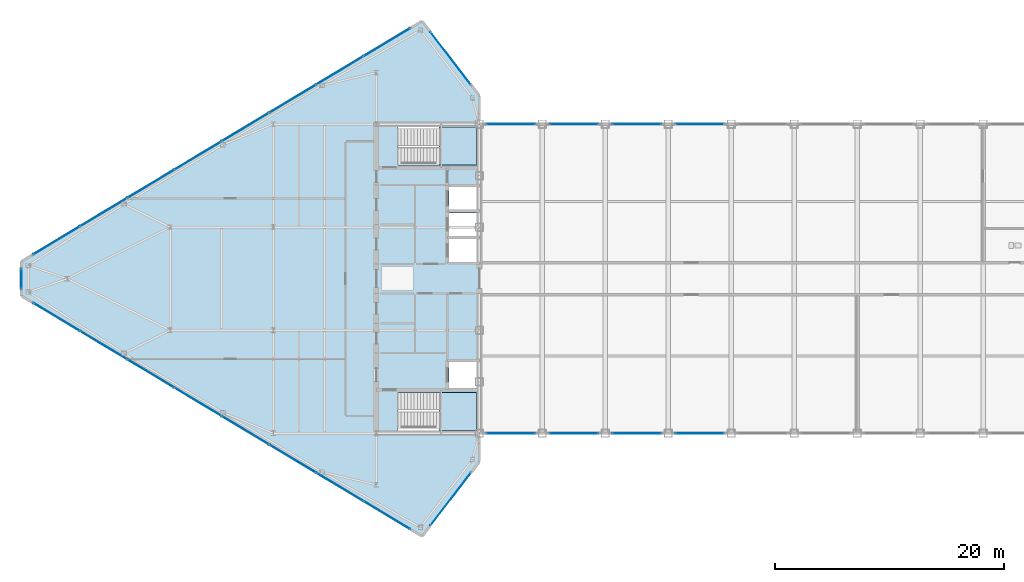
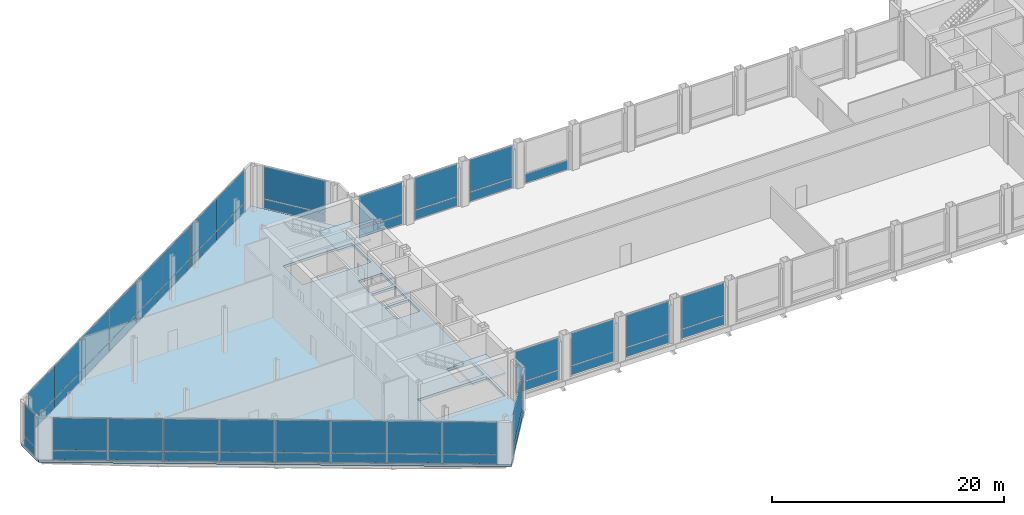
# One storey, part 19 of 29: 53 plates, 3 slabs, 15 elements without a shape of their own.
"""IFC4 building model written with IfcOpenShell, lengths in metres."""

from ifc_helpers import new_model, si_unit, direction, frame, origin, origin_2d, place, context, subcontext, project, spatial, polyline, rectangle, outline, extrude, source, transform, mapped, material, layer, layer_set, type_object, type_shapes, element, aggregate, save


model = new_model("IFC4")

# Units and contexts
model_context = context("Model", 3, precision=1e-05, world=origin(), true_north=direction((0.0, 1.0)))
body_context = subcontext(model_context, "Body", "Model", "MODEL_VIEW")
ifc_project = project(units=[si_unit("LENGTHUNIT", "METRE"), si_unit("AREAUNIT", "SQUARE_METRE"), si_unit("VOLUMEUNIT", "CUBIC_METRE"), si_unit("PLANEANGLEUNIT", "RADIAN"), si_unit("MASSUNIT", "GRAM", prefix="KILO")], contexts=[model_context])

# Site, building, storey
site_placement = place(None, origin())
site = spatial("IfcSite", under=ifc_project, at=site_placement, CompositionType="ELEMENT")
building_placement = place(site_placement, origin())
building = spatial("IfcBuilding", under=site, at=building_placement, Name="Seokmaru Belvedere", CompositionType="ELEMENT")
storey_placement = place(building_placement, frame((0.0, 0.0, 269.39990234375)))
storey = spatial("IfcBuildingStorey", under=building, at=storey_placement, Name="L71", CompositionType="ELEMENT", Elevation=269.39990234375)

# Slab
ifc_material_1 = material(Name="Concrete C50 (50 MPa)", Category="concrete")
ifc_layer_1 = layer(ifc_material_1, 0.260009765625)
ifc_layer_set_1 = layer_set([ifc_layer_1], Name="Concrete C50 (50 MPa)")
slab_type_1 = type_object("IfcSlabType", Name="Refuge and Sky-Gate Heavy Floor Slab 260", PredefinedType="FLOOR", material=ifc_layer_set_1)
slab_1_placement = place(storey_placement, frame((0.0, 0.0, -0.260009765625)))
element("IfcSlab", 1, at=slab_1_placement, inside=storey, type_object=slab_type_1, Name="L71 West Leg Floor Slab", PredefinedType="FLOOR", context=body_context, shape_type="SweptSolid", body=[
    extrude(outline(polyline([(-27.5, -16.0), (-27.5, 16.0), (-32.5, 22.5), (-67.5, 1.5), (-67.5, -1.5), (-32.5, -22.5), (-27.5, -16.0)]), holes=[polyline([(-34.60009765625, -13.25), (-27.75, -13.25), (-27.75, -9.949951171875), (-34.60009765625, -9.949951171875), (-34.60009765625, -13.25)]), polyline([(-34.60009765625, 9.949951171875), (-27.75, 9.949951171875), (-27.75, 13.25), (-34.60009765625, 13.25), (-34.60009765625, 9.949951171875)]), polyline([(-30.14990234375, -9.550048828125), (-27.75, -9.550048828125), (-27.75, -7.25), (-30.14990234375, -7.25), (-30.14990234375, -9.550048828125)]), polyline([(-30.14990234375, 1.449951171875), (-27.75, 1.449951171875), (-27.75, 3.449951171875), (-30.14990234375, 3.449951171875), (-30.14990234375, 1.449951171875)]), polyline([(-30.14990234375, 3.75), (-27.75, 3.75), (-27.75, 5.75), (-30.14990234375, 5.75), (-30.14990234375, 3.75)]), polyline([(-30.14990234375, 6.050048828125), (-27.75, 6.050048828125), (-27.75, 8.050048828125), (-30.14990234375, 8.050048828125), (-30.14990234375, 6.050048828125)])]), origin(), (0.0, 0.0, 1.0), 0.260009765625),
])

# Stair, slab
ifc_material_2 = material(Name="Concrete C40 (40 MPa)", Category="concrete")
stair_type = type_object("IfcStairType", Name="Basement Core Dog-Leg Stair 4800", PredefinedType="TWO_STRAIGHT_RUN_STAIR", material=ifc_material_2)
stair_1_placement = place(storey_placement, origin())
stair_1 = element("IfcStair", 2, at=stair_1_placement, inside=storey, type_object=stair_type, Name="L71 Special Escape Stair ST-W1", PredefinedType="TWO_STRAIGHT_RUN_STAIR")
ifc_layer_2 = layer(ifc_material_2, 0.199951171875)
ifc_layer_set_2 = layer_set([ifc_layer_2], Name="Concrete C40 (40 MPa)")
slab_type_2 = type_object("IfcSlabType", Name="Reinforced Concrete Stair Landing Slab 200", PredefinedType="LANDING", material=ifc_layer_set_2)
slab_2_placement = place(storey_placement, frame((0.0, 0.0, 2.2001953125)))
slab_2 = element("IfcSlab", 3, at=slab_2_placement, type_object=slab_type_2, Name="ST-W1 landing 1", PredefinedType="LANDING", context=body_context, shape_type="SweptSolid", body=[
    extrude(outline(polyline([(-31.0400390625, -13.239990234375), (-27.760009765625, -13.239990234375), (-27.760009765625, -9.949951171875), (-31.0400390625, -9.949951171875), (-31.0400390625, -13.239990234375)])), origin(), (0.0, 0.0, 1.0), 0.199951171875),
])
aggregate(stair_1, [slab_2])

stair_2_placement = place(storey_placement, origin())
stair_2 = element("IfcStair", 4, at=stair_2_placement, inside=storey, type_object=stair_type, Name="L71 Special Escape Stair ST-W2", PredefinedType="TWO_STRAIGHT_RUN_STAIR")
slab_3_placement = place(storey_placement, frame((0.0, 0.0, 2.2001953125)))
slab_3 = element("IfcSlab", 5, at=slab_3_placement, type_object=slab_type_2, Name="ST-W2 landing 1", PredefinedType="LANDING", context=body_context, shape_type="SweptSolid", body=[
    extrude(outline(polyline([(-31.0400390625, 9.949951171875), (-27.760009765625, 9.949951171875), (-27.760009765625, 13.239990234375), (-31.0400390625, 13.239990234375), (-31.0400390625, 9.949951171875)])), origin(), (0.0, 0.0, 1.0), 0.199951171875),
])
aggregate(stair_2, [slab_3])

# Curtain wall, plate
ifc_material_3 = material(Name="Bronze Triple Insulating Glass", Category="glass")
ifc_layer_3 = layer(ifc_material_3, 0.219970703125)
ifc_layer_set_3 = layer_set([ifc_layer_3], Name="Bronze Triple Insulating Glass")
curtain_wall_type = type_object("IfcCurtainWallType", Name="Sky-Gate Bridge Panorama Curtain Wall System CW-6", PredefinedType="NOTDEFINED", material=ifc_layer_set_3)
curtain_wall_1_placement = place(storey_placement, origin())
curtain_wall_1 = element("IfcCurtainWall", 6, at=curtain_wall_1_placement, inside=storey, type_object=curtain_wall_type, Name="L71 Curtain Wall WF2", PredefinedType="NOTDEFINED")
ifc_layer_4 = layer(ifc_material_3, 0.048095703125)
ifc_layer_set_4 = layer_set([ifc_layer_4], Name="Bronze Triple Insulating Glass")
plate_type_1 = type_object("IfcPlateType", Name="Insulated Bronze Spandrel Glazing Panel 48", PredefinedType="CURTAIN_PANEL", material=ifc_layer_set_4)
shared_shape_1 = source(origin(), body_context, "Body", "SweptSolid", [
    extrude(rectangle(XDim=5.740478515625, YDim=0.0419921875, at=origin_2d()), origin(), (0.0, 0.0, 1.0), 0.9375),
])
plate_1_placement = place(storey_placement, frame((-30.0, 19.25, 0.0751953125), z_axis=(0.0, 0.0, 1.0), x_axis=(-0.609701187349, 0.792631353244, 0.0)))
plate_1 = element("IfcPlate", 7, at=plate_1_placement, type_object=plate_type_1, Name="CW:L71:WF2 Glazing Panel 1-1", PredefinedType="CURTAIN_PANEL", context=body_context, shape_type="MappedRepresentation", body=[
    mapped(shared_shape_1, transform((0.0, 0.0, 0.0), scale=1.0)),
])

curtain_wall_2_placement = place(storey_placement, origin())
curtain_wall_2 = element("IfcCurtainWall", 8, at=curtain_wall_2_placement, inside=storey, type_object=curtain_wall_type, Name="L71 Curtain Wall WF6", PredefinedType="NOTDEFINED")
plate_2_placement = place(storey_placement, frame((-30.0, -19.25, 0.0751953125), z_axis=(0.0, 0.0, 1.0), x_axis=(0.609701187349, 0.792631353244, 0.0)))
plate_2 = element("IfcPlate", 9, at=plate_2_placement, type_object=plate_type_1, Name="CW:L71:WF6 Glazing Panel 1-1", PredefinedType="CURTAIN_PANEL", context=body_context, shape_type="MappedRepresentation", body=[
    mapped(shared_shape_1, transform((0.0, 0.0, 0.0), scale=1.0)),
])

# Plate
ifc_layer_5 = layer(ifc_material_3, 0.0419921875)
ifc_layer_set_5 = layer_set([ifc_layer_5], Name="Bronze Triple Insulating Glass")
plate_type_2 = type_object("IfcPlateType", Name="Acoustic Laminated Panorama Glazing Panel 42", PredefinedType="CURTAIN_PANEL", material=ifc_layer_set_5)
shared_shape_2 = source(origin(), body_context, "Body", "SweptSolid", [
    extrude(rectangle(XDim=5.740478515625, YDim=0.0419921875, at=origin_2d()), origin(), (0.0, 0.0, 1.0), 3.37744140625),
])
plate_3_placement = place(storey_placement, frame((-30.0, 19.25, 1.087646484375), z_axis=(0.0, 0.0, 1.0), x_axis=(-0.609701187349, 0.792631353244, 0.0)))
plate_3 = element("IfcPlate", 10, at=plate_3_placement, type_object=plate_type_2, Name="CW:L71:WF2 Glazing Panel 1-2", PredefinedType="CURTAIN_PANEL", context=body_context, shape_type="MappedRepresentation", body=[
    mapped(shared_shape_2, transform((0.0, 0.0, 0.0), scale=1.0)),
])

aggregate(curtain_wall_1, [plate_1, plate_3])

plate_4_placement = place(storey_placement, frame((-30.0, -19.25, 1.087646484375), z_axis=(0.0, 0.0, 1.0), x_axis=(0.609701187349, 0.792631353244, 0.0)))
plate_4 = element("IfcPlate", 11, at=plate_4_placement, type_object=plate_type_2, Name="CW:L71:WF6 Glazing Panel 1-2", PredefinedType="CURTAIN_PANEL", context=body_context, shape_type="MappedRepresentation", body=[
    mapped(shared_shape_2, transform((0.0, 0.0, 0.0), scale=1.0)),
])

aggregate(curtain_wall_2, [plate_2, plate_4])

# Curtain wall, plates
curtain_wall_3_placement = place(storey_placement, origin())
curtain_wall_3 = element("IfcCurtainWall", 12, at=curtain_wall_3_placement, inside=storey, type_object=curtain_wall_type, Name="L71 Curtain Wall WF3", PredefinedType="NOTDEFINED")
shared_shape_3 = source(origin(), body_context, "Body", "SweptSolid", [
    extrude(rectangle(XDim=4.694580078125, YDim=0.0419921875, at=origin_2d()), origin(), (0.0, 0.0, 1.0), 0.9375),
])
plate_5_placement = place(storey_placement, frame((-35.5673828125, 20.659423828125, 0.0751953125), z_axis=(0.0, 0.0, 1.0), x_axis=(-0.85749343335, -0.514494909364, 0.0)))
plate_5 = element("IfcPlate", 13, at=plate_5_placement, type_object=plate_type_1, Name="CW:L71:WF3 Glazing Panel 1-1", PredefinedType="CURTAIN_PANEL", context=body_context, shape_type="MappedRepresentation", body=[
    mapped(shared_shape_3, transform((0.0, 0.0, 0.0), scale=1.0)),
])
plate_6_placement = place(storey_placement, frame((-64.4326171875, 3.340576171875, 0.0751953125), z_axis=(0.0, 0.0, 1.0), x_axis=(-0.85749343335, -0.514494909364, 0.0)))
plate_6 = element("IfcPlate", 14, at=plate_6_placement, type_object=plate_type_1, Name="CW:L71:WF3 Glazing Panel 8-1", PredefinedType="CURTAIN_PANEL", context=body_context, shape_type="MappedRepresentation", body=[
    mapped(shared_shape_3, transform((0.0, 0.0, 0.0), scale=1.0)),
])

curtain_wall_4_placement = place(storey_placement, origin())
curtain_wall_4 = element("IfcCurtainWall", 15, at=curtain_wall_4_placement, inside=storey, type_object=curtain_wall_type, Name="L71 Curtain Wall WF5", PredefinedType="NOTDEFINED")
plate_7_placement = place(storey_placement, frame((-64.4326171875, -3.340576171875, 0.0751953125), z_axis=(0.0, 0.0, 1.0), x_axis=(0.85749343335, -0.514494909364, 0.0)))
plate_7 = element("IfcPlate", 16, at=plate_7_placement, type_object=plate_type_1, Name="CW:L71:WF5 Glazing Panel 1-1", PredefinedType="CURTAIN_PANEL", context=body_context, shape_type="MappedRepresentation", body=[
    mapped(shared_shape_3, transform((0.0, 0.0, 0.0), scale=1.0)),
])
plate_8_placement = place(storey_placement, frame((-35.5673828125, -20.659423828125, 0.0751953125), z_axis=(0.0, 0.0, 1.0), x_axis=(0.85749343335, -0.514494909364, 0.0)))
plate_8 = element("IfcPlate", 17, at=plate_8_placement, type_object=plate_type_1, Name="CW:L71:WF5 Glazing Panel 8-1", PredefinedType="CURTAIN_PANEL", context=body_context, shape_type="MappedRepresentation", body=[
    mapped(shared_shape_3, transform((0.0, 0.0, 0.0), scale=1.0)),
])

# Plate
shared_shape_4 = source(origin(), body_context, "Body", "SweptSolid", [
    extrude(rectangle(XDim=4.694580078125, YDim=0.0419921875, at=origin_2d()), origin(), (0.0, 0.0, 1.0), 3.37744140625),
])
plate_9_placement = place(storey_placement, frame((-35.5673828125, 20.659423828125, 1.087646484375), z_axis=(0.0, 0.0, 1.0), x_axis=(-0.85749343335, -0.514494909364, 0.0)))
plate_9 = element("IfcPlate", 18, at=plate_9_placement, type_object=plate_type_2, Name="CW:L71:WF3 Glazing Panel 1-2", PredefinedType="CURTAIN_PANEL", context=body_context, shape_type="MappedRepresentation", body=[
    mapped(shared_shape_4, transform((0.0, 0.0, 0.0), scale=1.0)),
])

plate_10_placement = place(storey_placement, frame((-64.4326171875, 3.340576171875, 1.087646484375), z_axis=(0.0, 0.0, 1.0), x_axis=(-0.85749343335, -0.514494909364, 0.0)))
plate_10 = element("IfcPlate", 19, at=plate_10_placement, type_object=plate_type_2, Name="CW:L71:WF3 Glazing Panel 8-2", PredefinedType="CURTAIN_PANEL", context=body_context, shape_type="MappedRepresentation", body=[
    mapped(shared_shape_4, transform((0.0, 0.0, 0.0), scale=1.0)),
])

plate_11_placement = place(storey_placement, frame((-64.4326171875, -3.340576171875, 1.087646484375), z_axis=(0.0, 0.0, 1.0), x_axis=(0.85749343335, -0.514494909364, 0.0)))
plate_11 = element("IfcPlate", 20, at=plate_11_placement, type_object=plate_type_2, Name="CW:L71:WF5 Glazing Panel 1-2", PredefinedType="CURTAIN_PANEL", context=body_context, shape_type="MappedRepresentation", body=[
    mapped(shared_shape_4, transform((0.0, 0.0, 0.0), scale=1.0)),
])

plate_12_placement = place(storey_placement, frame((-35.5673828125, -20.659423828125, 1.087646484375), z_axis=(0.0, 0.0, 1.0), x_axis=(0.85749343335, -0.514494909364, 0.0)))
plate_12 = element("IfcPlate", 21, at=plate_12_placement, type_object=plate_type_2, Name="CW:L71:WF5 Glazing Panel 8-2", PredefinedType="CURTAIN_PANEL", context=body_context, shape_type="MappedRepresentation", body=[
    mapped(shared_shape_4, transform((0.0, 0.0, 0.0), scale=1.0)),
])

shared_shape_5 = source(origin(), body_context, "Body", "SweptSolid", [
    extrude(rectangle(XDim=4.734619140625, YDim=0.0419921875, at=origin_2d()), origin(), (0.0, 0.0, 1.0), 0.9375),
])
plate_13_placement = place(storey_placement, frame((-39.6787109375, 18.192626953125, 0.0751953125), z_axis=(0.0, 0.0, 1.0), x_axis=(-0.85749343335, -0.514494909364, 0.0)))
plate_13 = element("IfcPlate", 22, at=plate_13_placement, type_object=plate_type_1, Name="CW:L71:WF3 Glazing Panel 2-1", PredefinedType="CURTAIN_PANEL", context=body_context, shape_type="MappedRepresentation", body=[
    mapped(shared_shape_5, transform((0.0, 0.0, 0.0), scale=1.0)),
])

plate_14_placement = place(storey_placement, frame((-43.807373046875, 15.715576171875, 0.0751953125), z_axis=(0.0, 0.0, 1.0), x_axis=(-0.85749343335, -0.514494909364, 0.0)))
plate_14 = element("IfcPlate", 23, at=plate_14_placement, type_object=plate_type_1, Name="CW:L71:WF3 Glazing Panel 3-1", PredefinedType="CURTAIN_PANEL", context=body_context, shape_type="MappedRepresentation", body=[
    mapped(shared_shape_5, transform((0.0, 0.0, 0.0), scale=1.0)),
])

plate_15_placement = place(storey_placement, frame((-47.935791015625, 13.238525390625, 0.0751953125), z_axis=(0.0, 0.0, 1.0), x_axis=(-0.85749343335, -0.514494909364, 0.0)))
plate_15 = element("IfcPlate", 24, at=plate_15_placement, type_object=plate_type_1, Name="CW:L71:WF3 Glazing Panel 4-1", PredefinedType="CURTAIN_PANEL", context=body_context, shape_type="MappedRepresentation", body=[
    mapped(shared_shape_5, transform((0.0, 0.0, 0.0), scale=1.0)),
])

plate_16_placement = place(storey_placement, frame((-52.064208984375, 10.761474609375, 0.0751953125), z_axis=(0.0, 0.0, 1.0), x_axis=(-0.85749343335, -0.514494909364, 0.0)))
plate_16 = element("IfcPlate", 25, at=plate_16_placement, type_object=plate_type_1, Name="CW:L71:WF3 Glazing Panel 5-1", PredefinedType="CURTAIN_PANEL", context=body_context, shape_type="MappedRepresentation", body=[
    mapped(shared_shape_5, transform((0.0, 0.0, 0.0), scale=1.0)),
])

plate_17_placement = place(storey_placement, frame((-56.192626953125, 8.284423828125, 0.0751953125), z_axis=(0.0, 0.0, 1.0), x_axis=(-0.85749343335, -0.514494909364, 0.0)))
plate_17 = element("IfcPlate", 26, at=plate_17_placement, type_object=plate_type_1, Name="CW:L71:WF3 Glazing Panel 6-1", PredefinedType="CURTAIN_PANEL", context=body_context, shape_type="MappedRepresentation", body=[
    mapped(shared_shape_5, transform((0.0, 0.0, 0.0), scale=1.0)),
])

plate_18_placement = place(storey_placement, frame((-60.3212890625, 5.807373046875, 0.0751953125), z_axis=(0.0, 0.0, 1.0), x_axis=(-0.85749343335, -0.514494909364, 0.0)))
plate_18 = element("IfcPlate", 27, at=plate_18_placement, type_object=plate_type_1, Name="CW:L71:WF3 Glazing Panel 7-1", PredefinedType="CURTAIN_PANEL", context=body_context, shape_type="MappedRepresentation", body=[
    mapped(shared_shape_5, transform((0.0, 0.0, 0.0), scale=1.0)),
])

plate_19_placement = place(storey_placement, frame((-60.3212890625, -5.807373046875, 0.0751953125), z_axis=(0.0, 0.0, 1.0), x_axis=(0.85749343335, -0.514494909364, 0.0)))
plate_19 = element("IfcPlate", 28, at=plate_19_placement, type_object=plate_type_1, Name="CW:L71:WF5 Glazing Panel 2-1", PredefinedType="CURTAIN_PANEL", context=body_context, shape_type="MappedRepresentation", body=[
    mapped(shared_shape_5, transform((0.0, 0.0, 0.0), scale=1.0)),
])

plate_20_placement = place(storey_placement, frame((-56.192626953125, -8.284423828125, 0.0751953125), z_axis=(0.0, 0.0, 1.0), x_axis=(0.85749343335, -0.514494909364, 0.0)))
plate_20 = element("IfcPlate", 29, at=plate_20_placement, type_object=plate_type_1, Name="CW:L71:WF5 Glazing Panel 3-1", PredefinedType="CURTAIN_PANEL", context=body_context, shape_type="MappedRepresentation", body=[
    mapped(shared_shape_5, transform((0.0, 0.0, 0.0), scale=1.0)),
])

plate_21_placement = place(storey_placement, frame((-52.064208984375, -10.761474609375, 0.0751953125), z_axis=(0.0, 0.0, 1.0), x_axis=(0.85749343335, -0.514494909364, 0.0)))
plate_21 = element("IfcPlate", 30, at=plate_21_placement, type_object=plate_type_1, Name="CW:L71:WF5 Glazing Panel 4-1", PredefinedType="CURTAIN_PANEL", context=body_context, shape_type="MappedRepresentation", body=[
    mapped(shared_shape_5, transform((0.0, 0.0, 0.0), scale=1.0)),
])

plate_22_placement = place(storey_placement, frame((-47.935791015625, -13.238525390625, 0.0751953125), z_axis=(0.0, 0.0, 1.0), x_axis=(0.85749343335, -0.514494909364, 0.0)))
plate_22 = element("IfcPlate", 31, at=plate_22_placement, type_object=plate_type_1, Name="CW:L71:WF5 Glazing Panel 5-1", PredefinedType="CURTAIN_PANEL", context=body_context, shape_type="MappedRepresentation", body=[
    mapped(shared_shape_5, transform((0.0, 0.0, 0.0), scale=1.0)),
])

plate_23_placement = place(storey_placement, frame((-43.807373046875, -15.715576171875, 0.0751953125), z_axis=(0.0, 0.0, 1.0), x_axis=(0.85749343335, -0.514494909364, 0.0)))
plate_23 = element("IfcPlate", 32, at=plate_23_placement, type_object=plate_type_1, Name="CW:L71:WF5 Glazing Panel 6-1", PredefinedType="CURTAIN_PANEL", context=body_context, shape_type="MappedRepresentation", body=[
    mapped(shared_shape_5, transform((0.0, 0.0, 0.0), scale=1.0)),
])

plate_24_placement = place(storey_placement, frame((-39.6787109375, -18.192626953125, 0.0751953125), z_axis=(0.0, 0.0, 1.0), x_axis=(0.85749343335, -0.514494909364, 0.0)))
plate_24 = element("IfcPlate", 33, at=plate_24_placement, type_object=plate_type_1, Name="CW:L71:WF5 Glazing Panel 7-1", PredefinedType="CURTAIN_PANEL", context=body_context, shape_type="MappedRepresentation", body=[
    mapped(shared_shape_5, transform((0.0, 0.0, 0.0), scale=1.0)),
])

shared_shape_6 = source(origin(), body_context, "Body", "SweptSolid", [
    extrude(rectangle(XDim=4.734619140625, YDim=0.0419921875, at=origin_2d()), origin(), (0.0, 0.0, 1.0), 3.37744140625),
])
plate_25_placement = place(storey_placement, frame((-39.6787109375, 18.192626953125, 1.087646484375), z_axis=(0.0, 0.0, 1.0), x_axis=(-0.85749343335, -0.514494909364, 0.0)))
plate_25 = element("IfcPlate", 34, at=plate_25_placement, type_object=plate_type_2, Name="CW:L71:WF3 Glazing Panel 2-2", PredefinedType="CURTAIN_PANEL", context=body_context, shape_type="MappedRepresentation", body=[
    mapped(shared_shape_6, transform((0.0, 0.0, 0.0), scale=1.0)),
])

plate_26_placement = place(storey_placement, frame((-43.807373046875, 15.715576171875, 1.087646484375), z_axis=(0.0, 0.0, 1.0), x_axis=(-0.85749343335, -0.514494909364, 0.0)))
plate_26 = element("IfcPlate", 35, at=plate_26_placement, type_object=plate_type_2, Name="CW:L71:WF3 Glazing Panel 3-2", PredefinedType="CURTAIN_PANEL", context=body_context, shape_type="MappedRepresentation", body=[
    mapped(shared_shape_6, transform((0.0, 0.0, 0.0), scale=1.0)),
])

plate_27_placement = place(storey_placement, frame((-47.935791015625, 13.238525390625, 1.087646484375), z_axis=(0.0, 0.0, 1.0), x_axis=(-0.85749343335, -0.514494909364, 0.0)))
plate_27 = element("IfcPlate", 36, at=plate_27_placement, type_object=plate_type_2, Name="CW:L71:WF3 Glazing Panel 4-2", PredefinedType="CURTAIN_PANEL", context=body_context, shape_type="MappedRepresentation", body=[
    mapped(shared_shape_6, transform((0.0, 0.0, 0.0), scale=1.0)),
])

plate_28_placement = place(storey_placement, frame((-52.064208984375, 10.761474609375, 1.087646484375), z_axis=(0.0, 0.0, 1.0), x_axis=(-0.85749343335, -0.514494909364, 0.0)))
plate_28 = element("IfcPlate", 37, at=plate_28_placement, type_object=plate_type_2, Name="CW:L71:WF3 Glazing Panel 5-2", PredefinedType="CURTAIN_PANEL", context=body_context, shape_type="MappedRepresentation", body=[
    mapped(shared_shape_6, transform((0.0, 0.0, 0.0), scale=1.0)),
])

plate_29_placement = place(storey_placement, frame((-56.192626953125, 8.284423828125, 1.087646484375), z_axis=(0.0, 0.0, 1.0), x_axis=(-0.85749343335, -0.514494909364, 0.0)))
plate_29 = element("IfcPlate", 38, at=plate_29_placement, type_object=plate_type_2, Name="CW:L71:WF3 Glazing Panel 6-2", PredefinedType="CURTAIN_PANEL", context=body_context, shape_type="MappedRepresentation", body=[
    mapped(shared_shape_6, transform((0.0, 0.0, 0.0), scale=1.0)),
])

plate_30_placement = place(storey_placement, frame((-60.3212890625, 5.807373046875, 1.087646484375), z_axis=(0.0, 0.0, 1.0), x_axis=(-0.85749343335, -0.514494909364, 0.0)))
plate_30 = element("IfcPlate", 39, at=plate_30_placement, type_object=plate_type_2, Name="CW:L71:WF3 Glazing Panel 7-2", PredefinedType="CURTAIN_PANEL", context=body_context, shape_type="MappedRepresentation", body=[
    mapped(shared_shape_6, transform((0.0, 0.0, 0.0), scale=1.0)),
])

aggregate(curtain_wall_3, [plate_5, plate_9, plate_13, plate_25, plate_14, plate_26, plate_15, plate_27, plate_16, plate_28, plate_17, plate_29, plate_18, plate_30, plate_6, plate_10])

plate_31_placement = place(storey_placement, frame((-60.3212890625, -5.807373046875, 1.087646484375), z_axis=(0.0, 0.0, 1.0), x_axis=(0.85749343335, -0.514494909364, 0.0)))
plate_31 = element("IfcPlate", 40, at=plate_31_placement, type_object=plate_type_2, Name="CW:L71:WF5 Glazing Panel 2-2", PredefinedType="CURTAIN_PANEL", context=body_context, shape_type="MappedRepresentation", body=[
    mapped(shared_shape_6, transform((0.0, 0.0, 0.0), scale=1.0)),
])

plate_32_placement = place(storey_placement, frame((-56.192626953125, -8.284423828125, 1.087646484375), z_axis=(0.0, 0.0, 1.0), x_axis=(0.85749343335, -0.514494909364, 0.0)))
plate_32 = element("IfcPlate", 41, at=plate_32_placement, type_object=plate_type_2, Name="CW:L71:WF5 Glazing Panel 3-2", PredefinedType="CURTAIN_PANEL", context=body_context, shape_type="MappedRepresentation", body=[
    mapped(shared_shape_6, transform((0.0, 0.0, 0.0), scale=1.0)),
])

plate_33_placement = place(storey_placement, frame((-52.064208984375, -10.761474609375, 1.087646484375), z_axis=(0.0, 0.0, 1.0), x_axis=(0.85749343335, -0.514494909364, 0.0)))
plate_33 = element("IfcPlate", 42, at=plate_33_placement, type_object=plate_type_2, Name="CW:L71:WF5 Glazing Panel 4-2", PredefinedType="CURTAIN_PANEL", context=body_context, shape_type="MappedRepresentation", body=[
    mapped(shared_shape_6, transform((0.0, 0.0, 0.0), scale=1.0)),
])

plate_34_placement = place(storey_placement, frame((-47.935791015625, -13.238525390625, 1.087646484375), z_axis=(0.0, 0.0, 1.0), x_axis=(0.85749343335, -0.514494909364, 0.0)))
plate_34 = element("IfcPlate", 43, at=plate_34_placement, type_object=plate_type_2, Name="CW:L71:WF5 Glazing Panel 5-2", PredefinedType="CURTAIN_PANEL", context=body_context, shape_type="MappedRepresentation", body=[
    mapped(shared_shape_6, transform((0.0, 0.0, 0.0), scale=1.0)),
])

plate_35_placement = place(storey_placement, frame((-43.807373046875, -15.715576171875, 1.087646484375), z_axis=(0.0, 0.0, 1.0), x_axis=(0.85749343335, -0.514494909364, 0.0)))
plate_35 = element("IfcPlate", 44, at=plate_35_placement, type_object=plate_type_2, Name="CW:L71:WF5 Glazing Panel 6-2", PredefinedType="CURTAIN_PANEL", context=body_context, shape_type="MappedRepresentation", body=[
    mapped(shared_shape_6, transform((0.0, 0.0, 0.0), scale=1.0)),
])

plate_36_placement = place(storey_placement, frame((-39.6787109375, -18.192626953125, 1.087646484375), z_axis=(0.0, 0.0, 1.0), x_axis=(0.85749343335, -0.514494909364, 0.0)))
plate_36 = element("IfcPlate", 45, at=plate_36_placement, type_object=plate_type_2, Name="CW:L71:WF5 Glazing Panel 7-2", PredefinedType="CURTAIN_PANEL", context=body_context, shape_type="MappedRepresentation", body=[
    mapped(shared_shape_6, transform((0.0, 0.0, 0.0), scale=1.0)),
])

aggregate(curtain_wall_4, [plate_7, plate_11, plate_19, plate_31, plate_20, plate_32, plate_21, plate_33, plate_22, plate_34, plate_23, plate_35, plate_24, plate_36, plate_8, plate_12])

# Curtain wall, plates
curtain_wall_5_placement = place(storey_placement, origin())
curtain_wall_5 = element("IfcCurtainWall", 46, at=curtain_wall_5_placement, inside=storey, type_object=curtain_wall_type, Name="L71 Curtain Wall WF4", PredefinedType="NOTDEFINED")
shared_shape_7 = source(origin(), body_context, "Body", "SweptSolid", [
    extrude(rectangle(XDim=1.739990234375, YDim=0.0419921875, at=origin_2d()), origin(), (0.0, 0.0, 1.0), 0.9375),
])
plate_37_placement = place(storey_placement, frame((-67.5, 0.0, 0.0751953125), z_axis=(0.0, 0.0, 1.0), x_axis=(0.0, -1.0, 0.0)))
plate_37 = element("IfcPlate", 47, at=plate_37_placement, type_object=plate_type_1, Name="CW:L71:WF4 Glazing Panel 1-1", PredefinedType="CURTAIN_PANEL", context=body_context, shape_type="MappedRepresentation", body=[
    mapped(shared_shape_7, transform((0.0, 0.0, 0.0), scale=1.0)),
])
shared_shape_8 = source(origin(), body_context, "Body", "SweptSolid", [
    extrude(rectangle(XDim=1.739990234375, YDim=0.0419921875, at=origin_2d()), origin(), (0.0, 0.0, 1.0), 3.37744140625),
])
plate_38_placement = place(storey_placement, frame((-67.5, 0.0, 1.087646484375), z_axis=(0.0, 0.0, 1.0), x_axis=(0.0, -1.0, 0.0)))
plate_38 = element("IfcPlate", 48, at=plate_38_placement, type_object=plate_type_2, Name="CW:L71:WF4 Glazing Panel 1-2", PredefinedType="CURTAIN_PANEL", context=body_context, shape_type="MappedRepresentation", body=[
    mapped(shared_shape_8, transform((0.0, 0.0, 0.0), scale=1.0)),
])
aggregate(curtain_wall_5, [plate_37, plate_38])

# Curtain wall, plate
curtain_wall_6_placement = place(storey_placement, origin())
curtain_wall_6 = element("IfcCurtainWall", 49, at=curtain_wall_6_placement, inside=storey, type_object=curtain_wall_type, Name="L71 Curtain Wall BR_S01", PredefinedType="NOTDEFINED")
shared_shape_9 = source(origin(), body_context, "Body", "SweptSolid", [
    extrude(rectangle(XDim=4.239990234375, YDim=0.0419921875, at=origin_2d()), origin(), (0.0, 0.0, 1.0), 0.9375),
])
type_shapes(plate_type_1, [shared_shape_1, shared_shape_3, shared_shape_5, shared_shape_7, shared_shape_9])
plate_39_placement = place(storey_placement, frame((-24.75, -13.5, 0.0751953125), z_axis=(0.0, 0.0, 1.0), x_axis=(1.0, 0.0, 0.0)))
plate_39 = element("IfcPlate", 50, at=plate_39_placement, type_object=plate_type_1, Name="CW:L71:BR_S01 Glazing Panel 1-1", PredefinedType="CURTAIN_PANEL", context=body_context, shape_type="MappedRepresentation", body=[
    mapped(shared_shape_9, transform((0.0, 0.0, 0.0), scale=1.0)),
])

curtain_wall_7_placement = place(storey_placement, origin())
curtain_wall_7 = element("IfcCurtainWall", 51, at=curtain_wall_7_placement, inside=storey, type_object=curtain_wall_type, Name="L71 Curtain Wall BR_N01", PredefinedType="NOTDEFINED")
plate_40_placement = place(storey_placement, frame((-24.75, 13.5, 0.0751953125), z_axis=(0.0, 0.0, 1.0), x_axis=(-1.0, 0.0, 0.0)))
plate_40 = element("IfcPlate", 52, at=plate_40_placement, type_object=plate_type_1, Name="CW:L71:BR_N01 Glazing Panel 1-1", PredefinedType="CURTAIN_PANEL", context=body_context, shape_type="MappedRepresentation", body=[
    mapped(shared_shape_9, transform((0.0, 0.0, 0.0), scale=1.0)),
])

curtain_wall_8_placement = place(storey_placement, origin())
curtain_wall_8 = element("IfcCurtainWall", 53, at=curtain_wall_8_placement, inside=storey, type_object=curtain_wall_type, Name="L71 Curtain Wall BR_S02", PredefinedType="NOTDEFINED")
plate_41_placement = place(storey_placement, frame((-19.25, -13.5, 0.0751953125), z_axis=(0.0, 0.0, 1.0), x_axis=(1.0, 0.0, 0.0)))
plate_41 = element("IfcPlate", 54, at=plate_41_placement, type_object=plate_type_1, Name="CW:L71:BR_S02 Glazing Panel 1-1", PredefinedType="CURTAIN_PANEL", context=body_context, shape_type="MappedRepresentation", body=[
    mapped(shared_shape_9, transform((0.0, 0.0, 0.0), scale=1.0)),
])

curtain_wall_9_placement = place(storey_placement, origin())
curtain_wall_9 = element("IfcCurtainWall", 55, at=curtain_wall_9_placement, inside=storey, type_object=curtain_wall_type, Name="L71 Curtain Wall BR_N02", PredefinedType="NOTDEFINED")
plate_42_placement = place(storey_placement, frame((-19.25, 13.5, 0.0751953125), z_axis=(0.0, 0.0, 1.0), x_axis=(-1.0, 0.0, 0.0)))
plate_42 = element("IfcPlate", 56, at=plate_42_placement, type_object=plate_type_1, Name="CW:L71:BR_N02 Glazing Panel 1-1", PredefinedType="CURTAIN_PANEL", context=body_context, shape_type="MappedRepresentation", body=[
    mapped(shared_shape_9, transform((0.0, 0.0, 0.0), scale=1.0)),
])

curtain_wall_10_placement = place(storey_placement, origin())
curtain_wall_10 = element("IfcCurtainWall", 57, at=curtain_wall_10_placement, inside=storey, type_object=curtain_wall_type, Name="L71 Curtain Wall BR_S03", PredefinedType="NOTDEFINED")
plate_43_placement = place(storey_placement, frame((-13.75, -13.5, 0.0751953125), z_axis=(0.0, 0.0, 1.0), x_axis=(1.0, 0.0, 0.0)))
plate_43 = element("IfcPlate", 58, at=plate_43_placement, type_object=plate_type_1, Name="CW:L71:BR_S03 Glazing Panel 1-1", PredefinedType="CURTAIN_PANEL", context=body_context, shape_type="MappedRepresentation", body=[
    mapped(shared_shape_9, transform((0.0, 0.0, 0.0), scale=1.0)),
])

curtain_wall_11_placement = place(storey_placement, origin())
curtain_wall_11 = element("IfcCurtainWall", 59, at=curtain_wall_11_placement, inside=storey, type_object=curtain_wall_type, Name="L71 Curtain Wall BR_N03", PredefinedType="NOTDEFINED")
plate_44_placement = place(storey_placement, frame((-13.75, 13.5, 0.0751953125), z_axis=(0.0, 0.0, 1.0), x_axis=(-1.0, 0.0, 0.0)))
plate_44 = element("IfcPlate", 60, at=plate_44_placement, type_object=plate_type_1, Name="CW:L71:BR_N03 Glazing Panel 1-1", PredefinedType="CURTAIN_PANEL", context=body_context, shape_type="MappedRepresentation", body=[
    mapped(shared_shape_9, transform((0.0, 0.0, 0.0), scale=1.0)),
])

curtain_wall_12_placement = place(storey_placement, origin())
curtain_wall_12 = element("IfcCurtainWall", 61, at=curtain_wall_12_placement, inside=storey, type_object=curtain_wall_type, Name="L71 Curtain Wall BR_S04", PredefinedType="NOTDEFINED")
plate_45_placement = place(storey_placement, frame((-8.25, -13.5, 0.0751953125), z_axis=(0.0, 0.0, 1.0), x_axis=(1.0, 0.0, 0.0)))
plate_45 = element("IfcPlate", 62, at=plate_45_placement, type_object=plate_type_1, Name="CW:L71:BR_S04 Glazing Panel 1-1", PredefinedType="CURTAIN_PANEL", context=body_context, shape_type="MappedRepresentation", body=[
    mapped(shared_shape_9, transform((0.0, 0.0, 0.0), scale=1.0)),
])

curtain_wall_13_placement = place(storey_placement, origin())
curtain_wall_13 = element("IfcCurtainWall", 63, at=curtain_wall_13_placement, inside=storey, type_object=curtain_wall_type, Name="L71 Curtain Wall BR_N04", PredefinedType="NOTDEFINED")
plate_46_placement = place(storey_placement, frame((-8.25, 13.5, 0.0751953125), z_axis=(0.0, 0.0, 1.0), x_axis=(-1.0, 0.0, 0.0)))
plate_46 = element("IfcPlate", 64, at=plate_46_placement, type_object=plate_type_1, Name="CW:L71:BR_N04 Glazing Panel 1-1", PredefinedType="CURTAIN_PANEL", context=body_context, shape_type="MappedRepresentation", body=[
    mapped(shared_shape_9, transform((0.0, 0.0, 0.0), scale=1.0)),
])
aggregate(curtain_wall_13, [plate_46])

# Plate
shared_shape_10 = source(origin(), body_context, "Body", "SweptSolid", [
    extrude(rectangle(XDim=4.239990234375, YDim=0.0419921875, at=origin_2d()), origin(), (0.0, 0.0, 1.0), 3.37744140625),
])
type_shapes(plate_type_2, [shared_shape_2, shared_shape_4, shared_shape_6, shared_shape_8, shared_shape_10])
plate_47_placement = place(storey_placement, frame((-24.75, -13.5, 1.087646484375), z_axis=(0.0, 0.0, 1.0), x_axis=(1.0, 0.0, 0.0)))
plate_47 = element("IfcPlate", 65, at=plate_47_placement, type_object=plate_type_2, Name="CW:L71:BR_S01 Glazing Panel 1-2", PredefinedType="CURTAIN_PANEL", context=body_context, shape_type="MappedRepresentation", body=[
    mapped(shared_shape_10, transform((0.0, 0.0, 0.0), scale=1.0)),
])

aggregate(curtain_wall_6, [plate_39, plate_47])

plate_48_placement = place(storey_placement, frame((-24.75, 13.5, 1.087646484375), z_axis=(0.0, 0.0, 1.0), x_axis=(-1.0, 0.0, 0.0)))
plate_48 = element("IfcPlate", 66, at=plate_48_placement, type_object=plate_type_2, Name="CW:L71:BR_N01 Glazing Panel 1-2", PredefinedType="CURTAIN_PANEL", context=body_context, shape_type="MappedRepresentation", body=[
    mapped(shared_shape_10, transform((0.0, 0.0, 0.0), scale=1.0)),
])

aggregate(curtain_wall_7, [plate_40, plate_48])

plate_49_placement = place(storey_placement, frame((-19.25, -13.5, 1.087646484375), z_axis=(0.0, 0.0, 1.0), x_axis=(1.0, 0.0, 0.0)))
plate_49 = element("IfcPlate", 67, at=plate_49_placement, type_object=plate_type_2, Name="CW:L71:BR_S02 Glazing Panel 1-2", PredefinedType="CURTAIN_PANEL", context=body_context, shape_type="MappedRepresentation", body=[
    mapped(shared_shape_10, transform((0.0, 0.0, 0.0), scale=1.0)),
])

aggregate(curtain_wall_8, [plate_41, plate_49])

plate_50_placement = place(storey_placement, frame((-19.25, 13.5, 1.087646484375), z_axis=(0.0, 0.0, 1.0), x_axis=(-1.0, 0.0, 0.0)))
plate_50 = element("IfcPlate", 68, at=plate_50_placement, type_object=plate_type_2, Name="CW:L71:BR_N02 Glazing Panel 1-2", PredefinedType="CURTAIN_PANEL", context=body_context, shape_type="MappedRepresentation", body=[
    mapped(shared_shape_10, transform((0.0, 0.0, 0.0), scale=1.0)),
])

aggregate(curtain_wall_9, [plate_42, plate_50])

plate_51_placement = place(storey_placement, frame((-13.75, -13.5, 1.087646484375), z_axis=(0.0, 0.0, 1.0), x_axis=(1.0, 0.0, 0.0)))
plate_51 = element("IfcPlate", 69, at=plate_51_placement, type_object=plate_type_2, Name="CW:L71:BR_S03 Glazing Panel 1-2", PredefinedType="CURTAIN_PANEL", context=body_context, shape_type="MappedRepresentation", body=[
    mapped(shared_shape_10, transform((0.0, 0.0, 0.0), scale=1.0)),
])

aggregate(curtain_wall_10, [plate_43, plate_51])

plate_52_placement = place(storey_placement, frame((-13.75, 13.5, 1.087646484375), z_axis=(0.0, 0.0, 1.0), x_axis=(-1.0, 0.0, 0.0)))
plate_52 = element("IfcPlate", 70, at=plate_52_placement, type_object=plate_type_2, Name="CW:L71:BR_N03 Glazing Panel 1-2", PredefinedType="CURTAIN_PANEL", context=body_context, shape_type="MappedRepresentation", body=[
    mapped(shared_shape_10, transform((0.0, 0.0, 0.0), scale=1.0)),
])

aggregate(curtain_wall_11, [plate_44, plate_52])

plate_53_placement = place(storey_placement, frame((-8.25, -13.5, 1.087646484375), z_axis=(0.0, 0.0, 1.0), x_axis=(1.0, 0.0, 0.0)))
plate_53 = element("IfcPlate", 71, at=plate_53_placement, type_object=plate_type_2, Name="CW:L71:BR_S04 Glazing Panel 1-2", PredefinedType="CURTAIN_PANEL", context=body_context, shape_type="MappedRepresentation", body=[
    mapped(shared_shape_10, transform((0.0, 0.0, 0.0), scale=1.0)),
])

aggregate(curtain_wall_12, [plate_45, plate_53])

save(model, "model.ifc")
